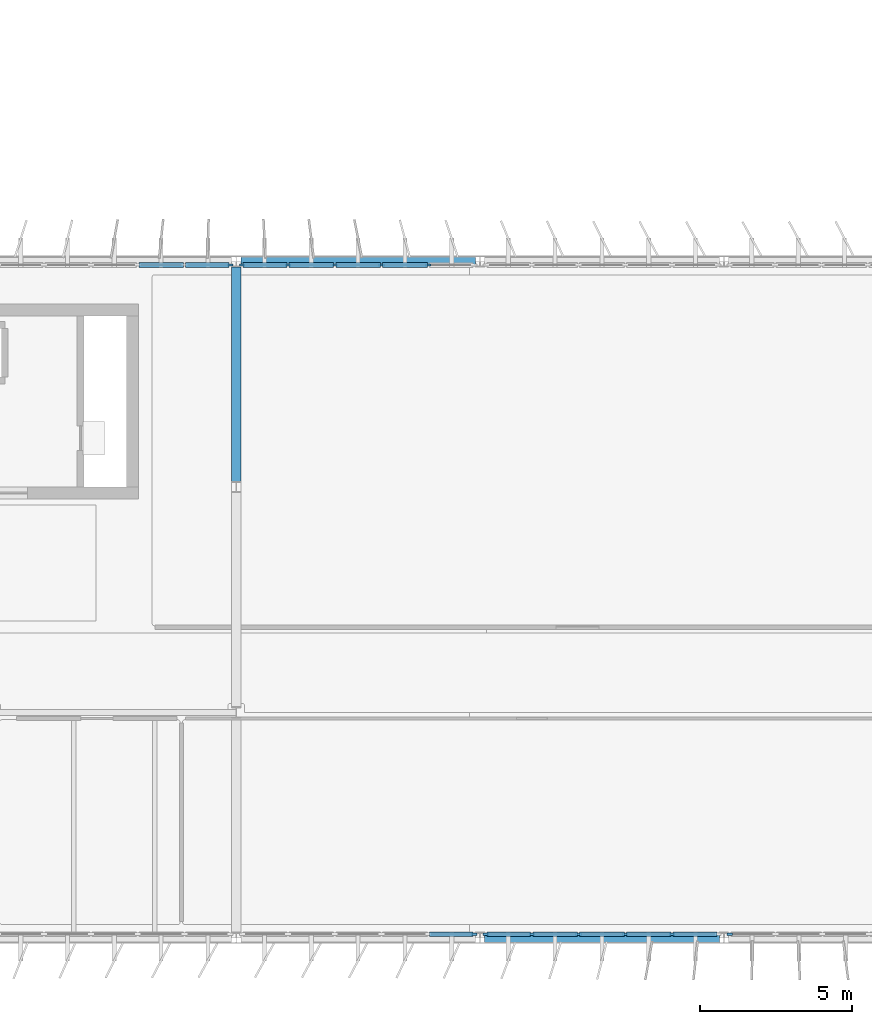
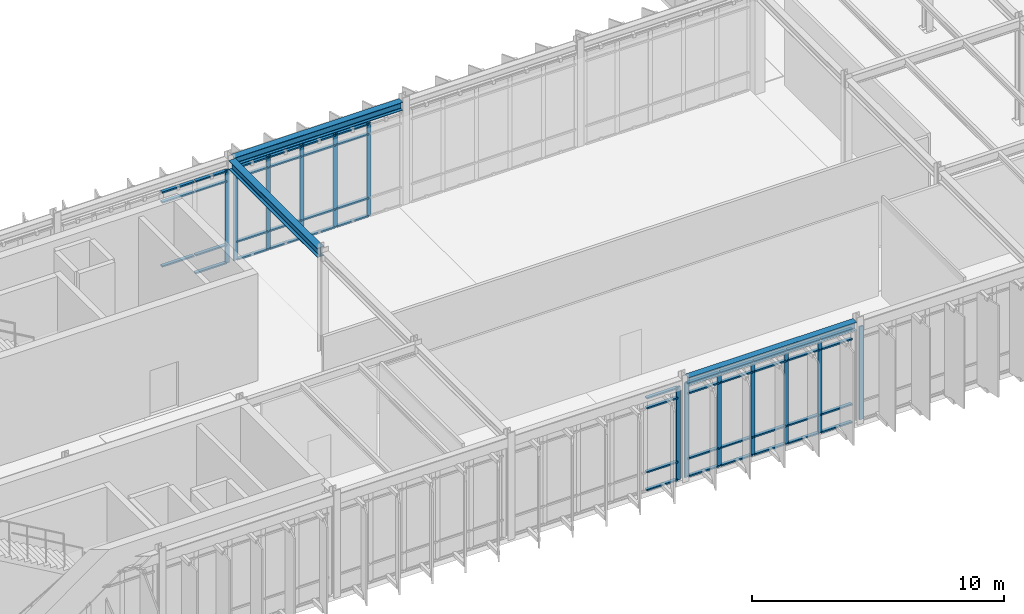
# One storey, part 15 of 48: 60 members, 3 beams, 5 elements without a shape of their own.
"""IFC4 building model written with IfcOpenShell, lengths in metres."""

import ifcopenshell
import ifcopenshell.guid

model = None  # the IFC model being written
_history = None  # IfcOwnerHistory: only IFC2X3 demands one
_inside = {}  # id of a spatial element -> (the spatial element, [elements in it])
_under = {}  # id of a project, library or spatial element -> (it, [spatial elements below it])
_declared = {}  # id of a project -> (the project, [libraries it declares])
_typed = {}  # id of a type object -> (the type object, [elements of that type])
_made_of = {}  # id of a material, layer set ... -> (it, [elements and type objects made of it])


def new_model(schema):
    """Start an empty IFC model of exactly this schema.

    Asked for "IFC4X3", IfcOpenShell would pick the latest addendum, in which some entities
    have other attributes; the version numbers below select the first issue.
    IFC2X3 requires an IfcOwnerHistory on every rooted entity: one is made here for all.
    """
    global model, _history
    if schema == "IFC4X3":
        model = ifcopenshell.file(schema_version=(4, 3, 0, 0))
    else:
        model = ifcopenshell.file(schema=schema)
    _inside.clear()
    _under.clear()
    _declared.clear()
    _typed.clear()
    _made_of.clear()
    _history = None
    if model.schema == "IFC2X3":
        org = make("IfcOrganization", Name="unknown")
        user = make(
            "IfcPersonAndOrganization",
            ThePerson=make("IfcPerson", FamilyName="unknown"),
            TheOrganization=org,
        )
        app = make(
            "IfcApplication",
            ApplicationDeveloper=org,
            Version="unknown",
            ApplicationFullName="unknown",
            ApplicationIdentifier="unknown",
        )
        _history = make(
            "IfcOwnerHistory",
            OwningUser=user,
            OwningApplication=app,
            ChangeAction="ADDED",
            CreationDate=0,
        )
    return model


def make(cls, **values):
    """One entity of the class cls with the attributes given. An attribute that is None is left unset."""
    return model.create_entity(
        cls, **{name: value for name, value in values.items() if value is not None}
    )


def rooted(cls, **values):
    """An entity with a GlobalId (a new one), such as an element, a storey or a relation."""
    return make(cls, GlobalId=ifcopenshell.guid.new(), OwnerHistory=_history, **values)


def si_unit(unit_type, name, prefix=None):
    """IfcSIUnit, for example si_unit("LENGTHUNIT", "METRE", prefix="MILLI")."""
    return make("IfcSIUnit", UnitType=unit_type, Prefix=prefix, Name=name)


def assignment(units):
    """IfcUnitAssignment: the units of a project."""
    return None if units is None else make("IfcUnitAssignment", Units=units)


def point(xyz):
    """IfcCartesianPoint."""
    return None if xyz is None else make("IfcCartesianPoint", Coordinates=xyz)


def direction(xyz):
    """IfcDirection."""
    return None if xyz is None else make("IfcDirection", DirectionRatios=xyz)


def frame(location, z_axis=None, x_axis=None):
    """IfcAxis2Placement3D, a coordinate frame: its origin and axes. An axis left out is left unset."""
    return make(
        "IfcAxis2Placement3D",
        Location=point(location),
        Axis=direction(z_axis),
        RefDirection=direction(x_axis),
    )


def frame_2d(location, x_axis=None):
    """IfcAxis2Placement2D, a coordinate frame in the plane: its origin and x axis."""
    return make(
        "IfcAxis2Placement2D", Location=point(location), RefDirection=direction(x_axis)
    )


def origin():
    """The frame at (0, 0, 0) with its axes left unset."""
    return frame((0.0, 0.0, 0.0))


def origin_2d():
    """The frame at (0, 0) in the plane with its x axis left unset."""
    return frame_2d((0.0, 0.0))


def place(relative_to, where):
    """IfcLocalPlacement: puts the frame where relative to a parent placement (None: the world)."""
    return make(
        "IfcLocalPlacement", PlacementRelTo=relative_to, RelativePlacement=where
    )


def context(
    kind, dimensions, precision=None, world=None, true_north=None, identifier=None
):
    """IfcGeometricRepresentationContext, for example the 3D "Model" context."""
    return make(
        "IfcGeometricRepresentationContext",
        ContextIdentifier=identifier,
        ContextType=kind,
        CoordinateSpaceDimension=dimensions,
        Precision=precision,
        WorldCoordinateSystem=world,
        TrueNorth=true_north,
    )


def subcontext(parent, identifier, kind, view, scale=None):
    """IfcGeometricRepresentationSubContext, for example "Body" below "Model"."""
    return make(
        "IfcGeometricRepresentationSubContext",
        ContextIdentifier=identifier,
        ContextType=kind,
        ParentContext=parent,
        TargetScale=scale,
        TargetView=view,
    )


def project(units=None, contexts=None):
    """IfcProject with its units and contexts."""
    return rooted(
        "IfcProject",
        Name="project",
        RepresentationContexts=contexts,
        UnitsInContext=assignment(units),
    )


def spatial(cls, under=None, at=None, **own):
    """A site, building, storey or space (cls), placed at a placement, below another one or the project."""
    s = rooted(cls, ObjectPlacement=at, **own)
    if under is not None:
        _under.setdefault(under.id(), (under, []))[1].append(s)
    return s


def profile(cls, at=None, kind="AREA", **sizes):
    """A parametric profile (cls). Its sizes go by their IFC names, for example OverallWidth=200.0."""
    return make(cls, ProfileType=kind, Position=at, **sizes)


def rectangle(**sizes):
    """IfcRectangleProfileDef."""
    return profile("IfcRectangleProfileDef", **sizes)


def i_section(**sizes):
    """IfcIShapeProfileDef."""
    return profile("IfcIShapeProfileDef", **sizes)


def extrude(swept, where, along, depth):
    """IfcExtrudedAreaSolid: the profile swept, set in the frame where, extruded along a direction by depth."""
    return make(
        "IfcExtrudedAreaSolid",
        SweptArea=swept,
        Position=where,
        ExtrudedDirection=direction(along),
        Depth=depth,
    )


def shape(context_of_items, identifier, shape_type, items):
    """IfcShapeRepresentation: the items that make up one representation, for example the "Body"."""
    return make(
        "IfcShapeRepresentation",
        ContextOfItems=context_of_items,
        RepresentationIdentifier=identifier,
        RepresentationType=shape_type,
        Items=items,
    )


def material(Name=None, Category=None):
    """IfcMaterial."""
    return make("IfcMaterial", Name=Name, Category=Category)


def layer(
    of_material, thickness, ventilated=None, Name=None, Category=None, Priority=None
):
    """IfcMaterialLayer: one layer of a wall or slab, of a material (None: an air gap)."""
    return make(
        "IfcMaterialLayer",
        Material=of_material,
        LayerThickness=thickness,
        IsVentilated=ventilated,
        Name=Name,
        Category=Category,
        Priority=Priority,
    )


def layer_set(layers, Name=None):
    """IfcMaterialLayerSet."""
    return make("IfcMaterialLayerSet", MaterialLayers=layers, LayerSetName=Name)


def material_profile(
    of_material, cross_section, Name=None, Category=None, Priority=None
):
    """IfcMaterialProfile: a cross section and its material."""
    return make(
        "IfcMaterialProfile",
        Name=Name,
        Material=of_material,
        Profile=cross_section,
        Priority=Priority,
        Category=Category,
    )


def profile_set(profiles, Name=None, composite=None):
    """IfcMaterialProfileSet."""
    return make(
        "IfcMaterialProfileSet",
        Name=Name,
        MaterialProfiles=profiles,
        CompositeProfile=composite,
    )


def made_of(thing, what):
    """Note that an element or type object is made of a material, layer set ...; save() writes the relation."""
    if what is not None:
        _made_of.setdefault(what.id(), (what, []))[1].append(thing)
    return thing


def type_object(cls, material=None, **own):
    """A type object (cls), such as IfcWallType, which elements share."""
    return made_of(rooted(cls, **own), material)


def element(
    cls,
    number,
    at=None,
    inside=None,
    cuts=None,
    type_object=None,
    material=None,
    context=None,
    identifier="Body",
    shape_type=None,
    held_by="IfcProductDefinitionShape",
    body=None,
    shapes=None,
    **own,
):
    """One element of the class cls, such as IfcWall. Its Tag is "e" and its number.

    at: its placement. inside: the storey or other place that contains it. cuts: it is an
    opening in that element (IfcRelVoidsElement). A single representation is given by context,
    identifier, shape_type and body (its items); several are given by shapes. held_by: the class
    of the entity that holds the representations. save() writes the other relations.
    """
    e = rooted(cls, Tag="e%d" % number, ObjectPlacement=at, **own)
    if body is not None:
        shapes = [shape(context, identifier, shape_type, body)]
    if shapes is not None:
        e.Representation = make(held_by, Representations=shapes)
    if inside is not None:
        _inside.setdefault(inside.id(), (inside, []))[1].append(e)
    if cuts is not None:
        rooted(
            "IfcRelVoidsElement", RelatingBuildingElement=cuts, RelatedOpeningElement=e
        )
    if type_object is not None:
        _typed.setdefault(type_object.id(), (type_object, []))[1].append(e)
    return made_of(e, material)


def aggregate(whole, parts):
    """IfcRelAggregates: a whole, such as a stair, and the parts it consists of."""
    return rooted("IfcRelAggregates", RelatingObject=whole, RelatedObjects=parts)


def save(model, path):
    """Write the relations noted so far, then the file.

    IfcRelAggregates (storeys below a building ...), IfcRelContainedInSpatialStructure (elements
    in a storey), IfcRelDefinesByType, IfcRelAssociatesMaterial and IfcRelDeclares: one each for
    every whole, place, type object, material and project.
    """
    for whole, parts in _under.values():
        aggregate(whole, parts)
    for where, things in _inside.values():
        rooted(
            "IfcRelContainedInSpatialStructure",
            RelatedElements=things,
            RelatingStructure=where,
        )
    for kind, things in _typed.values():
        rooted("IfcRelDefinesByType", RelatedObjects=things, RelatingType=kind)
    for what, things in _made_of.values():
        rooted("IfcRelAssociatesMaterial", RelatedObjects=things, RelatingMaterial=what)
    for by, libraries in _declared.values():
        rooted("IfcRelDeclares", RelatingContext=by, RelatedDefinitions=libraries)
    model.write(path)


model = new_model("IFC4")

# Units and contexts
model_context = context("Model", 3, precision=1e-05, world=origin(), true_north=direction((0.0, 1.0)))
body_context = subcontext(model_context, "Body", "Model", "MODEL_VIEW")
ifc_project = project(units=[si_unit("LENGTHUNIT", "METRE"), si_unit("AREAUNIT", "SQUARE_METRE"), si_unit("VOLUMEUNIT", "CUBIC_METRE"), si_unit("PLANEANGLEUNIT", "RADIAN"), si_unit("MASSUNIT", "GRAM", prefix="KILO")], contexts=[model_context])

# Site, building, storey
site_placement = place(None, origin())
site = spatial("IfcSite", under=ifc_project, at=site_placement, CompositionType="ELEMENT")
building_placement = place(site_placement, origin())
building = spatial("IfcBuilding", under=site, at=building_placement, Name="Valkorina Park Police Headquarters", CompositionType="ELEMENT")
storey_placement = place(building_placement, frame((0.0, 0.0, 18.10009765625)))
storey = spatial("IfcBuildingStorey", under=building, at=storey_placement, Name="L05", CompositionType="ELEMENT", Elevation=18.10009765625)

# Beams
ifc_material_1 = material(Name="Steel S355", Category="steel")
ifc_material_profile_1 = material_profile(ifc_material_1, i_section(OverallWidth=0.300048828125, OverallDepth=0.389892578125, WebThickness=0.010986328125, FlangeThickness=0.01904296875, FilletRadius=0.027099609375, at=origin_2d()), Name="HEA 400")
ifc_profile_set_1 = profile_set([ifc_material_profile_1], Name="Steel S355")
beam_type_1 = type_object("IfcBeamType", Name="BM-S355-HEA400-SPN", PredefinedType="SPANDREL", material=ifc_profile_set_1)
for number, where, z_axis, x_axis, name in (
    (1, (64.949951171875, 37.0, 4.784912109375), (1.0, 0.0, 0.0), (0.0, 1.0, 0.0), "L05 Framing Beam 2462"),
    (2, (56.949951171875, 59.199951171875, 4.784912109375), (1.0, 0.0, 0.0), (0.0, 1.0, 0.0), "L05 Framing Beam 2494"),
):
    element("IfcBeam", number, at=place(storey_placement, frame(where, z_axis=z_axis, x_axis=x_axis)), inside=storey, type_object=beam_type_1, Name=name, PredefinedType="SPANDREL", context=body_context, shape_type="SweptSolid", body=[
        extrude(i_section(OverallWidth=0.300048828125, OverallDepth=0.389892578125, WebThickness=0.010986328125, FlangeThickness=0.01904296875, FilletRadius=0.027099609375, at=origin_2d()), origin(), (0.0, 0.0, 1.0), 7.699951171875),
    ])
ifc_material_profile_2 = material_profile(ifc_material_1, i_section(OverallWidth=0.300048828125, OverallDepth=0.449951171875, WebThickness=0.013916015625, FlangeThickness=0.02587890625, FilletRadius=0.027099609375, at=origin_2d()), Name="HEB 450")
ifc_profile_set_2 = profile_set([ifc_material_profile_2], Name="Steel S355")
beam_type_2 = type_object("IfcBeamType", Name="BM-S355-HEB450-BM", PredefinedType="BEAM", material=ifc_profile_set_2)
beam_placement = place(storey_placement, frame((56.800048828125, 51.97998046875, 4.7548828125), z_axis=(0.0, 1.0, 0.0), x_axis=(-1.0, 0.0, 0.0)))
element("IfcBeam", 3, at=beam_placement, inside=storey, type_object=beam_type_2, Name="L05 Framing Beam 2546", PredefinedType="BEAM", context=body_context, shape_type="SweptSolid", body=[
    extrude(i_section(OverallWidth=0.300048828125, OverallDepth=0.449951171875, WebThickness=0.013916015625, FlangeThickness=0.02587890625, FilletRadius=0.027099609375, at=origin_2d()), origin(), (0.0, 0.0, 1.0), 7.0400390625),
])

# Curtain wall, member
ifc_material_2 = material(Name="Thermally broken aluminium AW-6060", Category="aluminium")
ifc_layer_1 = layer(ifc_material_2, 0.18994140625)
ifc_layer_set_1 = layer_set([ifc_layer_1], Name="Thermally broken aluminium AW-6060")
curtain_wall_type_1 = type_object("IfcCurtainWallType", Name="CW-V5-7680x4520", PredefinedType="NOTDEFINED", material=ifc_layer_set_1)
curtain_wall_1_placement = place(storey_placement, origin())
curtain_wall_1 = element("IfcCurtainWall", 4, at=curtain_wall_1_placement, inside=storey, type_object=curtain_wall_type_1, Name="L05 Unitised Curtain Wall 065", PredefinedType="NOTDEFINED")
ifc_material_profile_3 = material_profile(ifc_material_2, rectangle(XDim=0.070068359375, YDim=0.18994140625, at=origin_2d()), Name="CWM-02 70x190")
ifc_profile_set_3 = profile_set([ifc_material_profile_3], Name="Thermally broken aluminium AW-6060")
member_type_1 = type_object("IfcMemberType", Name="CWM-70x190", PredefinedType="MULLION", material=ifc_profile_set_3)
member_1_placement = place(storey_placement, frame((72.9951171875, 37.1201171875, 0.0), z_axis=(0.0, 0.0, 1.0), x_axis=(0.0, -1.0, 0.0)))
member_1 = element("IfcMember", 5, at=member_1_placement, type_object=member_type_1, Name="CW-V5-768-452 mullion 6", PredefinedType="MULLION", context=body_context, shape_type="SweptSolid", body=[
    extrude(rectangle(XDim=0.070068359375, YDim=0.18994140625, at=origin_2d()), origin(), (0.0, 0.0, 1.0), 4.52001953125),
])
aggregate(curtain_wall_1, [member_1])

# Curtain wall, members
ifc_layer_2 = layer(ifc_material_2, 0.18994140625)
ifc_layer_set_2 = layer_set([ifc_layer_2], Name="Thermally broken aluminium AW-6060")
curtain_wall_type_2 = type_object("IfcCurtainWallType", Name="CW-V5-7680x4580", PredefinedType="NOTDEFINED", material=ifc_layer_set_2)
curtain_wall_2_placement = place(storey_placement, origin())
curtain_wall_2 = element("IfcCurtainWall", 6, at=curtain_wall_2_placement, inside=storey, type_object=curtain_wall_type_2, Name="L05 Unitised Curtain Wall 066", PredefinedType="NOTDEFINED")
member_2_placement = place(storey_placement, frame((71.10400390625, 37.1201171875, 0.0), z_axis=(0.0, 0.0, 1.0), x_axis=(0.0, -1.0, 0.0)))
member_2 = element("IfcMember", 7, at=member_2_placement, type_object=member_type_1, Name="CW-V5-768-458 mullion 2", PredefinedType="MULLION", context=body_context, shape_type="SweptSolid", body=[
    extrude(rectangle(XDim=0.070068359375, YDim=0.18994140625, at=origin_2d()), origin(), (0.0, 0.0, 1.0), 4.579833984375),
])
member_3_placement = place(storey_placement, frame((69.568115234375, 37.1201171875, 0.0), z_axis=(0.0, 0.0, 1.0), x_axis=(0.0, -1.0, 0.0)))
member_3 = element("IfcMember", 8, at=member_3_placement, type_object=member_type_1, Name="CW-V5-768-458 mullion 3", PredefinedType="MULLION", context=body_context, shape_type="SweptSolid", body=[
    extrude(rectangle(XDim=0.070068359375, YDim=0.18994140625, at=origin_2d()), origin(), (0.0, 0.0, 1.0), 4.579833984375),
])
member_4_placement = place(storey_placement, frame((68.031982421875, 37.1201171875, 0.0), z_axis=(0.0, 0.0, 1.0), x_axis=(0.0, -1.0, 0.0)))
member_4 = element("IfcMember", 9, at=member_4_placement, type_object=member_type_1, Name="CW-V5-768-458 mullion 4", PredefinedType="MULLION", context=body_context, shape_type="SweptSolid", body=[
    extrude(rectangle(XDim=0.070068359375, YDim=0.18994140625, at=origin_2d()), origin(), (0.0, 0.0, 1.0), 4.579833984375),
])
member_5_placement = place(storey_placement, frame((66.49609375, 37.1201171875, 0.0), z_axis=(0.0, 0.0, 1.0), x_axis=(0.0, -1.0, 0.0)))
member_5 = element("IfcMember", 10, at=member_5_placement, type_object=member_type_1, Name="CW-V5-768-458 mullion 5", PredefinedType="MULLION", context=body_context, shape_type="SweptSolid", body=[
    extrude(rectangle(XDim=0.070068359375, YDim=0.18994140625, at=origin_2d()), origin(), (0.0, 0.0, 1.0), 4.579833984375),
])
member_6_placement = place(storey_placement, frame((64.9951171875, 37.1201171875, 0.0), z_axis=(0.0, 0.0, 1.0), x_axis=(0.0, -1.0, 0.0)))
member_6 = element("IfcMember", 11, at=member_6_placement, type_object=member_type_1, Name="CW-V5-768-458 mullion 6", PredefinedType="MULLION", context=body_context, shape_type="SweptSolid", body=[
    extrude(rectangle(XDim=0.070068359375, YDim=0.18994140625, at=origin_2d()), origin(), (0.0, 0.0, 1.0), 4.579833984375),
])

# Curtain wall, member
curtain_wall_3_placement = place(storey_placement, origin())
curtain_wall_3 = element("IfcCurtainWall", 12, at=curtain_wall_3_placement, inside=storey, type_object=curtain_wall_type_1, Name="L05 Unitised Curtain Wall 067", PredefinedType="NOTDEFINED")
member_7_placement = place(storey_placement, frame((64.60498046875, 37.1201171875, 0.0), z_axis=(0.0, 0.0, 1.0), x_axis=(0.0, -1.0, 0.0)))
member_7 = element("IfcMember", 13, at=member_7_placement, type_object=member_type_1, Name="CW-V5-768-452 mullion 1", PredefinedType="MULLION", context=body_context, shape_type="SweptSolid", body=[
    extrude(rectangle(XDim=0.070068359375, YDim=0.18994140625, at=origin_2d()), origin(), (0.0, 0.0, 1.0), 4.52001953125),
])

curtain_wall_4_placement = place(storey_placement, origin())
curtain_wall_4 = element("IfcCurtainWall", 14, at=curtain_wall_4_placement, inside=storey, type_object=curtain_wall_type_1, Name="L05 Unitised Curtain Wall 084", PredefinedType="NOTDEFINED")
member_8_placement = place(storey_placement, frame((56.60498046875, 59.080078125, 0.0), z_axis=(0.0, 0.0, 1.0), x_axis=(0.0, 1.0, 0.0)))
member_8 = element("IfcMember", 15, at=member_8_placement, type_object=member_type_1, Name="CW-V5-768-452 mullion 6", PredefinedType="MULLION", context=body_context, shape_type="SweptSolid", body=[
    extrude(rectangle(XDim=0.070068359375, YDim=0.18994140625, at=origin_2d()), origin(), (0.0, 0.0, 1.0), 4.52001953125),
])

# Curtain wall, members
curtain_wall_5_placement = place(storey_placement, origin())
curtain_wall_5 = element("IfcCurtainWall", 16, at=curtain_wall_5_placement, inside=storey, type_object=curtain_wall_type_1, Name="L05 Unitised Curtain Wall 085", PredefinedType="NOTDEFINED")
member_9_placement = place(storey_placement, frame((56.9951171875, 59.080078125, 0.0), z_axis=(0.0, 0.0, 1.0), x_axis=(0.0, 1.0, 0.0)))
member_9 = element("IfcMember", 17, at=member_9_placement, type_object=member_type_1, Name="CW-V5-768-452 mullion 1", PredefinedType="MULLION", context=body_context, shape_type="SweptSolid", body=[
    extrude(rectangle(XDim=0.070068359375, YDim=0.18994140625, at=origin_2d()), origin(), (0.0, 0.0, 1.0), 4.52001953125),
])
member_10_placement = place(storey_placement, frame((58.49609375, 59.080078125, 0.0), z_axis=(0.0, 0.0, 1.0), x_axis=(0.0, 1.0, 0.0)))
member_10 = element("IfcMember", 18, at=member_10_placement, type_object=member_type_1, Name="CW-V5-768-452 mullion 2", PredefinedType="MULLION", context=body_context, shape_type="SweptSolid", body=[
    extrude(rectangle(XDim=0.070068359375, YDim=0.18994140625, at=origin_2d()), origin(), (0.0, 0.0, 1.0), 4.52001953125),
])
member_11_placement = place(storey_placement, frame((60.031982421875, 59.080078125, 0.0), z_axis=(0.0, 0.0, 1.0), x_axis=(0.0, 1.0, 0.0)))
member_11 = element("IfcMember", 19, at=member_11_placement, type_object=member_type_1, Name="CW-V5-768-452 mullion 3", PredefinedType="MULLION", context=body_context, shape_type="SweptSolid", body=[
    extrude(rectangle(XDim=0.070068359375, YDim=0.18994140625, at=origin_2d()), origin(), (0.0, 0.0, 1.0), 4.52001953125),
])
member_12_placement = place(storey_placement, frame((61.568115234375, 59.080078125, 0.0), z_axis=(0.0, 0.0, 1.0), x_axis=(0.0, 1.0, 0.0)))
member_12 = element("IfcMember", 20, at=member_12_placement, type_object=member_type_1, Name="CW-V5-768-452 mullion 4", PredefinedType="MULLION", context=body_context, shape_type="SweptSolid", body=[
    extrude(rectangle(XDim=0.070068359375, YDim=0.18994140625, at=origin_2d()), origin(), (0.0, 0.0, 1.0), 4.52001953125),
])
member_13_placement = place(storey_placement, frame((63.10400390625, 59.080078125, 0.0), z_axis=(0.0, 0.0, 1.0), x_axis=(0.0, 1.0, 0.0)))
member_13 = element("IfcMember", 21, at=member_13_placement, type_object=member_type_1, Name="CW-V5-768-452 mullion 5", PredefinedType="MULLION", context=body_context, shape_type="SweptSolid", body=[
    extrude(rectangle(XDim=0.070068359375, YDim=0.18994140625, at=origin_2d()), origin(), (0.0, 0.0, 1.0), 4.52001953125),
])

# Member
ifc_material_profile_4 = material_profile(ifc_material_2, rectangle(XDim=0.14990234375, YDim=0.070068359375, at=origin_2d()), Name="CWT-02 150x70")
ifc_profile_set_4 = profile_set([ifc_material_profile_4], Name="Thermally broken aluminium AW-6060")
member_type_2 = type_object("IfcMemberType", Name="CWT-150x70", PredefinedType="USERDEFINED", material=ifc_profile_set_4)
member_14_placement = place(storey_placement, frame((72.570068359375, 37.1201171875, 0.034912109375), z_axis=(-1.0, 0.0, 0.0), x_axis=(0.0, -1.0, 0.0)))
member_14 = element("IfcMember", 22, at=member_14_placement, type_object=member_type_2, Name="CW-V5-768-458 transom 1.1", ObjectType="TRANSOM", PredefinedType="USERDEFINED", context=body_context, shape_type="SweptSolid", body=[
    extrude(rectangle(XDim=0.14990234375, YDim=0.070068359375, at=origin_2d()), origin(), (0.0, 0.0, 1.0), 1.43115234375),
])

member_15_placement = place(storey_placement, frame((72.570068359375, 37.1201171875, 0.89990234375), z_axis=(-1.0, 0.0, 0.0), x_axis=(0.0, -1.0, 0.0)))
member_15 = element("IfcMember", 23, at=member_15_placement, type_object=member_type_2, Name="CW-V5-768-458 transom 1.2", ObjectType="TRANSOM", PredefinedType="USERDEFINED", context=body_context, shape_type="SweptSolid", body=[
    extrude(rectangle(XDim=0.14990234375, YDim=0.070068359375, at=origin_2d()), origin(), (0.0, 0.0, 1.0), 1.43115234375),
])

member_16_placement = place(storey_placement, frame((72.570068359375, 37.1201171875, 4.059814453125), z_axis=(-1.0, 0.0, 0.0), x_axis=(0.0, -1.0, 0.0)))
member_16 = element("IfcMember", 24, at=member_16_placement, type_object=member_type_2, Name="CW-V5-768-458 transom 1.3", ObjectType="TRANSOM", PredefinedType="USERDEFINED", context=body_context, shape_type="SweptSolid", body=[
    extrude(rectangle(XDim=0.14990234375, YDim=0.070068359375, at=origin_2d()), origin(), (0.0, 0.0, 1.0), 1.43115234375),
])

member_17_placement = place(storey_placement, frame((72.570068359375, 37.1201171875, 4.544921875), z_axis=(-1.0, 0.0, 0.0), x_axis=(0.0, -1.0, 0.0)))
member_17 = element("IfcMember", 25, at=member_17_placement, type_object=member_type_2, Name="CW-V5-768-458 transom 1.4", ObjectType="TRANSOM", PredefinedType="USERDEFINED", context=body_context, shape_type="SweptSolid", body=[
    extrude(rectangle(XDim=0.14990234375, YDim=0.070068359375, at=origin_2d()), origin(), (0.0, 0.0, 1.0), 1.43115234375),
])

member_18_placement = place(storey_placement, frame((71.069091796875, 37.1201171875, 0.034912109375), z_axis=(-1.0, 0.0, 0.0), x_axis=(0.0, -1.0, 0.0)))
member_18 = element("IfcMember", 26, at=member_18_placement, type_object=member_type_2, Name="CW-V5-768-458 transom 2.1", ObjectType="TRANSOM", PredefinedType="USERDEFINED", context=body_context, shape_type="SweptSolid", body=[
    extrude(rectangle(XDim=0.14990234375, YDim=0.070068359375, at=origin_2d()), origin(), (0.0, 0.0, 1.0), 1.466064453125),
])

member_19_placement = place(storey_placement, frame((71.069091796875, 37.1201171875, 0.89990234375), z_axis=(-1.0, 0.0, 0.0), x_axis=(0.0, -1.0, 0.0)))
member_19 = element("IfcMember", 27, at=member_19_placement, type_object=member_type_2, Name="CW-V5-768-458 transom 2.2", ObjectType="TRANSOM", PredefinedType="USERDEFINED", context=body_context, shape_type="SweptSolid", body=[
    extrude(rectangle(XDim=0.14990234375, YDim=0.070068359375, at=origin_2d()), origin(), (0.0, 0.0, 1.0), 1.466064453125),
])

member_20_placement = place(storey_placement, frame((71.069091796875, 37.1201171875, 4.059814453125), z_axis=(-1.0, 0.0, 0.0), x_axis=(0.0, -1.0, 0.0)))
member_20 = element("IfcMember", 28, at=member_20_placement, type_object=member_type_2, Name="CW-V5-768-458 transom 2.3", ObjectType="TRANSOM", PredefinedType="USERDEFINED", context=body_context, shape_type="SweptSolid", body=[
    extrude(rectangle(XDim=0.14990234375, YDim=0.070068359375, at=origin_2d()), origin(), (0.0, 0.0, 1.0), 1.466064453125),
])

member_21_placement = place(storey_placement, frame((71.069091796875, 37.1201171875, 4.544921875), z_axis=(-1.0, 0.0, 0.0), x_axis=(0.0, -1.0, 0.0)))
member_21 = element("IfcMember", 29, at=member_21_placement, type_object=member_type_2, Name="CW-V5-768-458 transom 2.4", ObjectType="TRANSOM", PredefinedType="USERDEFINED", context=body_context, shape_type="SweptSolid", body=[
    extrude(rectangle(XDim=0.14990234375, YDim=0.070068359375, at=origin_2d()), origin(), (0.0, 0.0, 1.0), 1.466064453125),
])

member_22_placement = place(storey_placement, frame((69.532958984375, 37.1201171875, 0.034912109375), z_axis=(-1.0, 0.0, 0.0), x_axis=(0.0, -1.0, 0.0)))
member_22 = element("IfcMember", 30, at=member_22_placement, type_object=member_type_2, Name="CW-V5-768-458 transom 3.1", ObjectType="TRANSOM", PredefinedType="USERDEFINED", context=body_context, shape_type="SweptSolid", body=[
    extrude(rectangle(XDim=0.14990234375, YDim=0.070068359375, at=origin_2d()), origin(), (0.0, 0.0, 1.0), 1.466064453125),
])

member_23_placement = place(storey_placement, frame((69.532958984375, 37.1201171875, 0.89990234375), z_axis=(-1.0, 0.0, 0.0), x_axis=(0.0, -1.0, 0.0)))
member_23 = element("IfcMember", 31, at=member_23_placement, type_object=member_type_2, Name="CW-V5-768-458 transom 3.2", ObjectType="TRANSOM", PredefinedType="USERDEFINED", context=body_context, shape_type="SweptSolid", body=[
    extrude(rectangle(XDim=0.14990234375, YDim=0.070068359375, at=origin_2d()), origin(), (0.0, 0.0, 1.0), 1.466064453125),
])

member_24_placement = place(storey_placement, frame((69.532958984375, 37.1201171875, 4.059814453125), z_axis=(-1.0, 0.0, 0.0), x_axis=(0.0, -1.0, 0.0)))
member_24 = element("IfcMember", 32, at=member_24_placement, type_object=member_type_2, Name="CW-V5-768-458 transom 3.3", ObjectType="TRANSOM", PredefinedType="USERDEFINED", context=body_context, shape_type="SweptSolid", body=[
    extrude(rectangle(XDim=0.14990234375, YDim=0.070068359375, at=origin_2d()), origin(), (0.0, 0.0, 1.0), 1.466064453125),
])

member_25_placement = place(storey_placement, frame((69.532958984375, 37.1201171875, 4.544921875), z_axis=(-1.0, 0.0, 0.0), x_axis=(0.0, -1.0, 0.0)))
member_25 = element("IfcMember", 33, at=member_25_placement, type_object=member_type_2, Name="CW-V5-768-458 transom 3.4", ObjectType="TRANSOM", PredefinedType="USERDEFINED", context=body_context, shape_type="SweptSolid", body=[
    extrude(rectangle(XDim=0.14990234375, YDim=0.070068359375, at=origin_2d()), origin(), (0.0, 0.0, 1.0), 1.466064453125),
])

member_26_placement = place(storey_placement, frame((67.9970703125, 37.1201171875, 0.034912109375), z_axis=(-1.0, 0.0, 0.0), x_axis=(0.0, -1.0, 0.0)))
member_26 = element("IfcMember", 34, at=member_26_placement, type_object=member_type_2, Name="CW-V5-768-458 transom 4.1", ObjectType="TRANSOM", PredefinedType="USERDEFINED", context=body_context, shape_type="SweptSolid", body=[
    extrude(rectangle(XDim=0.14990234375, YDim=0.070068359375, at=origin_2d()), origin(), (0.0, 0.0, 1.0), 1.466064453125),
])

member_27_placement = place(storey_placement, frame((67.9970703125, 37.1201171875, 0.89990234375), z_axis=(-1.0, 0.0, 0.0), x_axis=(0.0, -1.0, 0.0)))
member_27 = element("IfcMember", 35, at=member_27_placement, type_object=member_type_2, Name="CW-V5-768-458 transom 4.2", ObjectType="TRANSOM", PredefinedType="USERDEFINED", context=body_context, shape_type="SweptSolid", body=[
    extrude(rectangle(XDim=0.14990234375, YDim=0.070068359375, at=origin_2d()), origin(), (0.0, 0.0, 1.0), 1.466064453125),
])

member_28_placement = place(storey_placement, frame((67.9970703125, 37.1201171875, 4.059814453125), z_axis=(-1.0, 0.0, 0.0), x_axis=(0.0, -1.0, 0.0)))
member_28 = element("IfcMember", 36, at=member_28_placement, type_object=member_type_2, Name="CW-V5-768-458 transom 4.3", ObjectType="TRANSOM", PredefinedType="USERDEFINED", context=body_context, shape_type="SweptSolid", body=[
    extrude(rectangle(XDim=0.14990234375, YDim=0.070068359375, at=origin_2d()), origin(), (0.0, 0.0, 1.0), 1.466064453125),
])

member_29_placement = place(storey_placement, frame((67.9970703125, 37.1201171875, 4.544921875), z_axis=(-1.0, 0.0, 0.0), x_axis=(0.0, -1.0, 0.0)))
member_29 = element("IfcMember", 37, at=member_29_placement, type_object=member_type_2, Name="CW-V5-768-458 transom 4.4", ObjectType="TRANSOM", PredefinedType="USERDEFINED", context=body_context, shape_type="SweptSolid", body=[
    extrude(rectangle(XDim=0.14990234375, YDim=0.070068359375, at=origin_2d()), origin(), (0.0, 0.0, 1.0), 1.466064453125),
])

member_30_placement = place(storey_placement, frame((66.4609375, 37.1201171875, 0.034912109375), z_axis=(-1.0, 0.0, 0.0), x_axis=(0.0, -1.0, 0.0)))
member_30 = element("IfcMember", 38, at=member_30_placement, type_object=member_type_2, Name="CW-V5-768-458 transom 5.1", ObjectType="TRANSOM", PredefinedType="USERDEFINED", context=body_context, shape_type="SweptSolid", body=[
    extrude(rectangle(XDim=0.14990234375, YDim=0.070068359375, at=origin_2d()), origin(), (0.0, 0.0, 1.0), 1.430908203125),
])

member_31_placement = place(storey_placement, frame((66.4609375, 37.1201171875, 0.89990234375), z_axis=(-1.0, 0.0, 0.0), x_axis=(0.0, -1.0, 0.0)))
member_31 = element("IfcMember", 39, at=member_31_placement, type_object=member_type_2, Name="CW-V5-768-458 transom 5.2", ObjectType="TRANSOM", PredefinedType="USERDEFINED", context=body_context, shape_type="SweptSolid", body=[
    extrude(rectangle(XDim=0.14990234375, YDim=0.070068359375, at=origin_2d()), origin(), (0.0, 0.0, 1.0), 1.430908203125),
])

member_32_placement = place(storey_placement, frame((66.4609375, 37.1201171875, 4.059814453125), z_axis=(-1.0, 0.0, 0.0), x_axis=(0.0, -1.0, 0.0)))
member_32 = element("IfcMember", 40, at=member_32_placement, type_object=member_type_2, Name="CW-V5-768-458 transom 5.3", ObjectType="TRANSOM", PredefinedType="USERDEFINED", context=body_context, shape_type="SweptSolid", body=[
    extrude(rectangle(XDim=0.14990234375, YDim=0.070068359375, at=origin_2d()), origin(), (0.0, 0.0, 1.0), 1.430908203125),
])

member_33_placement = place(storey_placement, frame((66.4609375, 37.1201171875, 4.544921875), z_axis=(-1.0, 0.0, 0.0), x_axis=(0.0, -1.0, 0.0)))
member_33 = element("IfcMember", 41, at=member_33_placement, type_object=member_type_2, Name="CW-V5-768-458 transom 5.4", ObjectType="TRANSOM", PredefinedType="USERDEFINED", context=body_context, shape_type="SweptSolid", body=[
    extrude(rectangle(XDim=0.14990234375, YDim=0.070068359375, at=origin_2d()), origin(), (0.0, 0.0, 1.0), 1.430908203125),
])

aggregate(curtain_wall_2, [member_2, member_3, member_4, member_5, member_6, member_14, member_15, member_16, member_17, member_18, member_19, member_20, member_21, member_22, member_23, member_24, member_25, member_26, member_27, member_28, member_29, member_30, member_31, member_32, member_33])

member_34_placement = place(storey_placement, frame((64.570068359375, 37.1201171875, 0.034912109375), z_axis=(-1.0, 0.0, 0.0), x_axis=(0.0, -1.0, 0.0)))
member_34 = element("IfcMember", 42, at=member_34_placement, type_object=member_type_2, Name="CW-V5-768-452 transom 1.1", ObjectType="TRANSOM", PredefinedType="USERDEFINED", context=body_context, shape_type="SweptSolid", body=[
    extrude(rectangle(XDim=0.14990234375, YDim=0.070068359375, at=origin_2d()), origin(), (0.0, 0.0, 1.0), 1.43115234375),
])

member_35_placement = place(storey_placement, frame((64.570068359375, 37.1201171875, 0.89990234375), z_axis=(-1.0, 0.0, 0.0), x_axis=(0.0, -1.0, 0.0)))
member_35 = element("IfcMember", 43, at=member_35_placement, type_object=member_type_2, Name="CW-V5-768-452 transom 1.2", ObjectType="TRANSOM", PredefinedType="USERDEFINED", context=body_context, shape_type="SweptSolid", body=[
    extrude(rectangle(XDim=0.14990234375, YDim=0.070068359375, at=origin_2d()), origin(), (0.0, 0.0, 1.0), 1.43115234375),
])

member_36_placement = place(storey_placement, frame((64.570068359375, 37.1201171875, 4.0), z_axis=(-1.0, 0.0, 0.0), x_axis=(0.0, -1.0, 0.0)))
member_36 = element("IfcMember", 44, at=member_36_placement, type_object=member_type_2, Name="CW-V5-768-452 transom 1.3", ObjectType="TRANSOM", PredefinedType="USERDEFINED", context=body_context, shape_type="SweptSolid", body=[
    extrude(rectangle(XDim=0.14990234375, YDim=0.070068359375, at=origin_2d()), origin(), (0.0, 0.0, 1.0), 1.43115234375),
])

member_37_placement = place(storey_placement, frame((64.570068359375, 37.1201171875, 4.48486328125), z_axis=(-1.0, 0.0, 0.0), x_axis=(0.0, -1.0, 0.0)))
member_37 = element("IfcMember", 45, at=member_37_placement, type_object=member_type_2, Name="CW-V5-768-452 transom 1.4", ObjectType="TRANSOM", PredefinedType="USERDEFINED", context=body_context, shape_type="SweptSolid", body=[
    extrude(rectangle(XDim=0.14990234375, YDim=0.070068359375, at=origin_2d()), origin(), (0.0, 0.0, 1.0), 1.43115234375),
])

aggregate(curtain_wall_3, [member_7, member_34, member_35, member_36, member_37])

member_38_placement = place(storey_placement, frame((53.60302734375, 59.080078125, 0.89990234375), z_axis=(1.0, 0.0, 0.0), x_axis=(0.0, 1.0, 0.0)))
member_38 = element("IfcMember", 46, at=member_38_placement, type_object=member_type_2, Name="CW-V5-768-452 transom 4.2", ObjectType="TRANSOM", PredefinedType="USERDEFINED", context=body_context, shape_type="SweptSolid", body=[
    extrude(rectangle(XDim=0.14990234375, YDim=0.070068359375, at=origin_2d()), origin(), (0.0, 0.0, 1.0), 1.466064453125),
])

member_39_placement = place(storey_placement, frame((53.60302734375, 59.080078125, 4.0), z_axis=(1.0, 0.0, 0.0), x_axis=(0.0, 1.0, 0.0)))
member_39 = element("IfcMember", 47, at=member_39_placement, type_object=member_type_2, Name="CW-V5-768-452 transom 4.3", ObjectType="TRANSOM", PredefinedType="USERDEFINED", context=body_context, shape_type="SweptSolid", body=[
    extrude(rectangle(XDim=0.14990234375, YDim=0.070068359375, at=origin_2d()), origin(), (0.0, 0.0, 1.0), 1.466064453125),
])

member_40_placement = place(storey_placement, frame((53.60302734375, 59.080078125, 4.48486328125), z_axis=(1.0, 0.0, 0.0), x_axis=(0.0, 1.0, 0.0)))
member_40 = element("IfcMember", 48, at=member_40_placement, type_object=member_type_2, Name="CW-V5-768-452 transom 4.4", ObjectType="TRANSOM", PredefinedType="USERDEFINED", context=body_context, shape_type="SweptSolid", body=[
    extrude(rectangle(XDim=0.14990234375, YDim=0.070068359375, at=origin_2d()), origin(), (0.0, 0.0, 1.0), 1.466064453125),
])

member_41_placement = place(storey_placement, frame((55.138916015625, 59.080078125, 0.034912109375), z_axis=(1.0, 0.0, 0.0), x_axis=(0.0, 1.0, 0.0)))
member_41 = element("IfcMember", 49, at=member_41_placement, type_object=member_type_2, Name="CW-V5-768-452 transom 5.1", ObjectType="TRANSOM", PredefinedType="USERDEFINED", context=body_context, shape_type="SweptSolid", body=[
    extrude(rectangle(XDim=0.14990234375, YDim=0.070068359375, at=origin_2d()), origin(), (0.0, 0.0, 1.0), 1.43115234375),
])

member_42_placement = place(storey_placement, frame((55.138916015625, 59.080078125, 0.89990234375), z_axis=(1.0, 0.0, 0.0), x_axis=(0.0, 1.0, 0.0)))
member_42 = element("IfcMember", 50, at=member_42_placement, type_object=member_type_2, Name="CW-V5-768-452 transom 5.2", ObjectType="TRANSOM", PredefinedType="USERDEFINED", context=body_context, shape_type="SweptSolid", body=[
    extrude(rectangle(XDim=0.14990234375, YDim=0.070068359375, at=origin_2d()), origin(), (0.0, 0.0, 1.0), 1.43115234375),
])

member_43_placement = place(storey_placement, frame((55.138916015625, 59.080078125, 4.0), z_axis=(1.0, 0.0, 0.0), x_axis=(0.0, 1.0, 0.0)))
member_43 = element("IfcMember", 51, at=member_43_placement, type_object=member_type_2, Name="CW-V5-768-452 transom 5.3", ObjectType="TRANSOM", PredefinedType="USERDEFINED", context=body_context, shape_type="SweptSolid", body=[
    extrude(rectangle(XDim=0.14990234375, YDim=0.070068359375, at=origin_2d()), origin(), (0.0, 0.0, 1.0), 1.43115234375),
])

member_44_placement = place(storey_placement, frame((55.138916015625, 59.080078125, 4.48486328125), z_axis=(1.0, 0.0, 0.0), x_axis=(0.0, 1.0, 0.0)))
member_44 = element("IfcMember", 52, at=member_44_placement, type_object=member_type_2, Name="CW-V5-768-452 transom 5.4", ObjectType="TRANSOM", PredefinedType="USERDEFINED", context=body_context, shape_type="SweptSolid", body=[
    extrude(rectangle(XDim=0.14990234375, YDim=0.070068359375, at=origin_2d()), origin(), (0.0, 0.0, 1.0), 1.43115234375),
])

aggregate(curtain_wall_4, [member_8, member_38, member_39, member_40, member_41, member_42, member_43, member_44])

member_45_placement = place(storey_placement, frame((57.030029296875, 59.080078125, 0.034912109375), z_axis=(1.0, 0.0, 0.0), x_axis=(0.0, 1.0, 0.0)))
member_45 = element("IfcMember", 53, at=member_45_placement, type_object=member_type_2, Name="CW-V5-768-452 transom 1.1", ObjectType="TRANSOM", PredefinedType="USERDEFINED", context=body_context, shape_type="SweptSolid", body=[
    extrude(rectangle(XDim=0.14990234375, YDim=0.070068359375, at=origin_2d()), origin(), (0.0, 0.0, 1.0), 1.430908203125),
])

member_46_placement = place(storey_placement, frame((57.030029296875, 59.080078125, 0.89990234375), z_axis=(1.0, 0.0, 0.0), x_axis=(0.0, 1.0, 0.0)))
member_46 = element("IfcMember", 54, at=member_46_placement, type_object=member_type_2, Name="CW-V5-768-452 transom 1.2", ObjectType="TRANSOM", PredefinedType="USERDEFINED", context=body_context, shape_type="SweptSolid", body=[
    extrude(rectangle(XDim=0.14990234375, YDim=0.070068359375, at=origin_2d()), origin(), (0.0, 0.0, 1.0), 1.430908203125),
])

member_47_placement = place(storey_placement, frame((57.030029296875, 59.080078125, 4.0), z_axis=(1.0, 0.0, 0.0), x_axis=(0.0, 1.0, 0.0)))
member_47 = element("IfcMember", 55, at=member_47_placement, type_object=member_type_2, Name="CW-V5-768-452 transom 1.3", ObjectType="TRANSOM", PredefinedType="USERDEFINED", context=body_context, shape_type="SweptSolid", body=[
    extrude(rectangle(XDim=0.14990234375, YDim=0.070068359375, at=origin_2d()), origin(), (0.0, 0.0, 1.0), 1.430908203125),
])

member_48_placement = place(storey_placement, frame((57.030029296875, 59.080078125, 4.48486328125), z_axis=(1.0, 0.0, 0.0), x_axis=(0.0, 1.0, 0.0)))
member_48 = element("IfcMember", 56, at=member_48_placement, type_object=member_type_2, Name="CW-V5-768-452 transom 1.4", ObjectType="TRANSOM", PredefinedType="USERDEFINED", context=body_context, shape_type="SweptSolid", body=[
    extrude(rectangle(XDim=0.14990234375, YDim=0.070068359375, at=origin_2d()), origin(), (0.0, 0.0, 1.0), 1.430908203125),
])

member_49_placement = place(storey_placement, frame((58.531005859375, 59.080078125, 0.034912109375), z_axis=(1.0, 0.0, 0.0), x_axis=(0.0, 1.0, 0.0)))
member_49 = element("IfcMember", 57, at=member_49_placement, type_object=member_type_2, Name="CW-V5-768-452 transom 2.1", ObjectType="TRANSOM", PredefinedType="USERDEFINED", context=body_context, shape_type="SweptSolid", body=[
    extrude(rectangle(XDim=0.14990234375, YDim=0.070068359375, at=origin_2d()), origin(), (0.0, 0.0, 1.0), 1.466064453125),
])

member_50_placement = place(storey_placement, frame((58.531005859375, 59.080078125, 0.89990234375), z_axis=(1.0, 0.0, 0.0), x_axis=(0.0, 1.0, 0.0)))
member_50 = element("IfcMember", 58, at=member_50_placement, type_object=member_type_2, Name="CW-V5-768-452 transom 2.2", ObjectType="TRANSOM", PredefinedType="USERDEFINED", context=body_context, shape_type="SweptSolid", body=[
    extrude(rectangle(XDim=0.14990234375, YDim=0.070068359375, at=origin_2d()), origin(), (0.0, 0.0, 1.0), 1.466064453125),
])

member_51_placement = place(storey_placement, frame((58.531005859375, 59.080078125, 4.0), z_axis=(1.0, 0.0, 0.0), x_axis=(0.0, 1.0, 0.0)))
member_51 = element("IfcMember", 59, at=member_51_placement, type_object=member_type_2, Name="CW-V5-768-452 transom 2.3", ObjectType="TRANSOM", PredefinedType="USERDEFINED", context=body_context, shape_type="SweptSolid", body=[
    extrude(rectangle(XDim=0.14990234375, YDim=0.070068359375, at=origin_2d()), origin(), (0.0, 0.0, 1.0), 1.466064453125),
])

member_52_placement = place(storey_placement, frame((58.531005859375, 59.080078125, 4.48486328125), z_axis=(1.0, 0.0, 0.0), x_axis=(0.0, 1.0, 0.0)))
member_52 = element("IfcMember", 60, at=member_52_placement, type_object=member_type_2, Name="CW-V5-768-452 transom 2.4", ObjectType="TRANSOM", PredefinedType="USERDEFINED", context=body_context, shape_type="SweptSolid", body=[
    extrude(rectangle(XDim=0.14990234375, YDim=0.070068359375, at=origin_2d()), origin(), (0.0, 0.0, 1.0), 1.466064453125),
])

member_53_placement = place(storey_placement, frame((60.06689453125, 59.080078125, 0.034912109375), z_axis=(1.0, 0.0, 0.0), x_axis=(0.0, 1.0, 0.0)))
member_53 = element("IfcMember", 61, at=member_53_placement, type_object=member_type_2, Name="CW-V5-768-452 transom 3.1", ObjectType="TRANSOM", PredefinedType="USERDEFINED", context=body_context, shape_type="SweptSolid", body=[
    extrude(rectangle(XDim=0.14990234375, YDim=0.070068359375, at=origin_2d()), origin(), (0.0, 0.0, 1.0), 1.466064453125),
])

member_54_placement = place(storey_placement, frame((60.06689453125, 59.080078125, 0.89990234375), z_axis=(1.0, 0.0, 0.0), x_axis=(0.0, 1.0, 0.0)))
member_54 = element("IfcMember", 62, at=member_54_placement, type_object=member_type_2, Name="CW-V5-768-452 transom 3.2", ObjectType="TRANSOM", PredefinedType="USERDEFINED", context=body_context, shape_type="SweptSolid", body=[
    extrude(rectangle(XDim=0.14990234375, YDim=0.070068359375, at=origin_2d()), origin(), (0.0, 0.0, 1.0), 1.466064453125),
])

member_55_placement = place(storey_placement, frame((60.06689453125, 59.080078125, 4.0), z_axis=(1.0, 0.0, 0.0), x_axis=(0.0, 1.0, 0.0)))
member_55 = element("IfcMember", 63, at=member_55_placement, type_object=member_type_2, Name="CW-V5-768-452 transom 3.3", ObjectType="TRANSOM", PredefinedType="USERDEFINED", context=body_context, shape_type="SweptSolid", body=[
    extrude(rectangle(XDim=0.14990234375, YDim=0.070068359375, at=origin_2d()), origin(), (0.0, 0.0, 1.0), 1.466064453125),
])

member_56_placement = place(storey_placement, frame((60.06689453125, 59.080078125, 4.48486328125), z_axis=(1.0, 0.0, 0.0), x_axis=(0.0, 1.0, 0.0)))
member_56 = element("IfcMember", 64, at=member_56_placement, type_object=member_type_2, Name="CW-V5-768-452 transom 3.4", ObjectType="TRANSOM", PredefinedType="USERDEFINED", context=body_context, shape_type="SweptSolid", body=[
    extrude(rectangle(XDim=0.14990234375, YDim=0.070068359375, at=origin_2d()), origin(), (0.0, 0.0, 1.0), 1.466064453125),
])

member_57_placement = place(storey_placement, frame((61.60302734375, 59.080078125, 0.034912109375), z_axis=(1.0, 0.0, 0.0), x_axis=(0.0, 1.0, 0.0)))
member_57 = element("IfcMember", 65, at=member_57_placement, type_object=member_type_2, Name="CW-V5-768-452 transom 4.1", ObjectType="TRANSOM", PredefinedType="USERDEFINED", context=body_context, shape_type="SweptSolid", body=[
    extrude(rectangle(XDim=0.14990234375, YDim=0.070068359375, at=origin_2d()), origin(), (0.0, 0.0, 1.0), 1.466064453125),
])

member_58_placement = place(storey_placement, frame((61.60302734375, 59.080078125, 0.89990234375), z_axis=(1.0, 0.0, 0.0), x_axis=(0.0, 1.0, 0.0)))
member_58 = element("IfcMember", 66, at=member_58_placement, type_object=member_type_2, Name="CW-V5-768-452 transom 4.2", ObjectType="TRANSOM", PredefinedType="USERDEFINED", context=body_context, shape_type="SweptSolid", body=[
    extrude(rectangle(XDim=0.14990234375, YDim=0.070068359375, at=origin_2d()), origin(), (0.0, 0.0, 1.0), 1.466064453125),
])

member_59_placement = place(storey_placement, frame((61.60302734375, 59.080078125, 4.0), z_axis=(1.0, 0.0, 0.0), x_axis=(0.0, 1.0, 0.0)))
member_59 = element("IfcMember", 67, at=member_59_placement, type_object=member_type_2, Name="CW-V5-768-452 transom 4.3", ObjectType="TRANSOM", PredefinedType="USERDEFINED", context=body_context, shape_type="SweptSolid", body=[
    extrude(rectangle(XDim=0.14990234375, YDim=0.070068359375, at=origin_2d()), origin(), (0.0, 0.0, 1.0), 1.466064453125),
])

member_60_placement = place(storey_placement, frame((61.60302734375, 59.080078125, 4.48486328125), z_axis=(1.0, 0.0, 0.0), x_axis=(0.0, 1.0, 0.0)))
member_60 = element("IfcMember", 68, at=member_60_placement, type_object=member_type_2, Name="CW-V5-768-452 transom 4.4", ObjectType="TRANSOM", PredefinedType="USERDEFINED", context=body_context, shape_type="SweptSolid", body=[
    extrude(rectangle(XDim=0.14990234375, YDim=0.070068359375, at=origin_2d()), origin(), (0.0, 0.0, 1.0), 1.466064453125),
])

aggregate(curtain_wall_5, [member_9, member_10, member_11, member_12, member_13, member_45, member_46, member_47, member_48, member_49, member_50, member_51, member_52, member_53, member_54, member_55, member_56, member_57, member_58, member_59, member_60])

save(model, "model.ifc")
